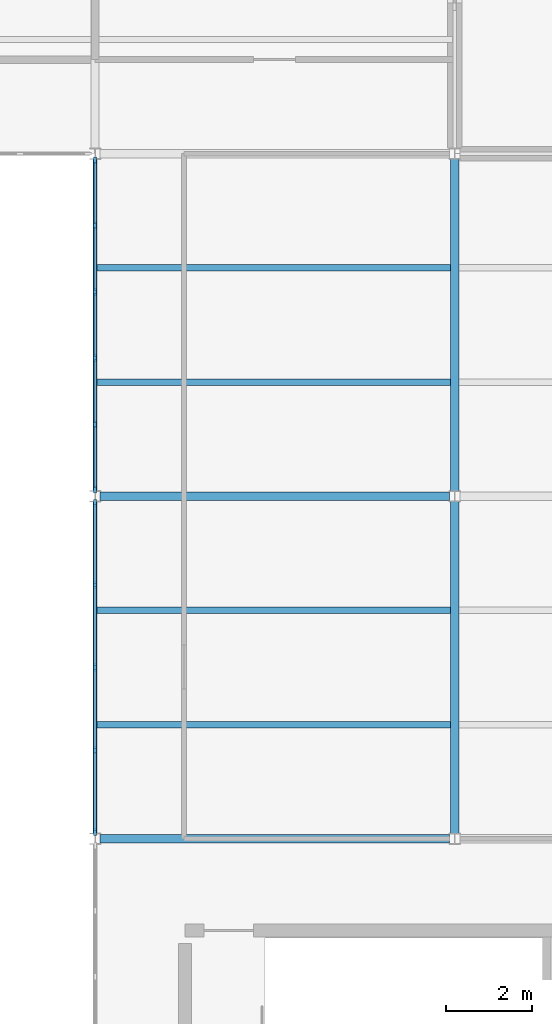
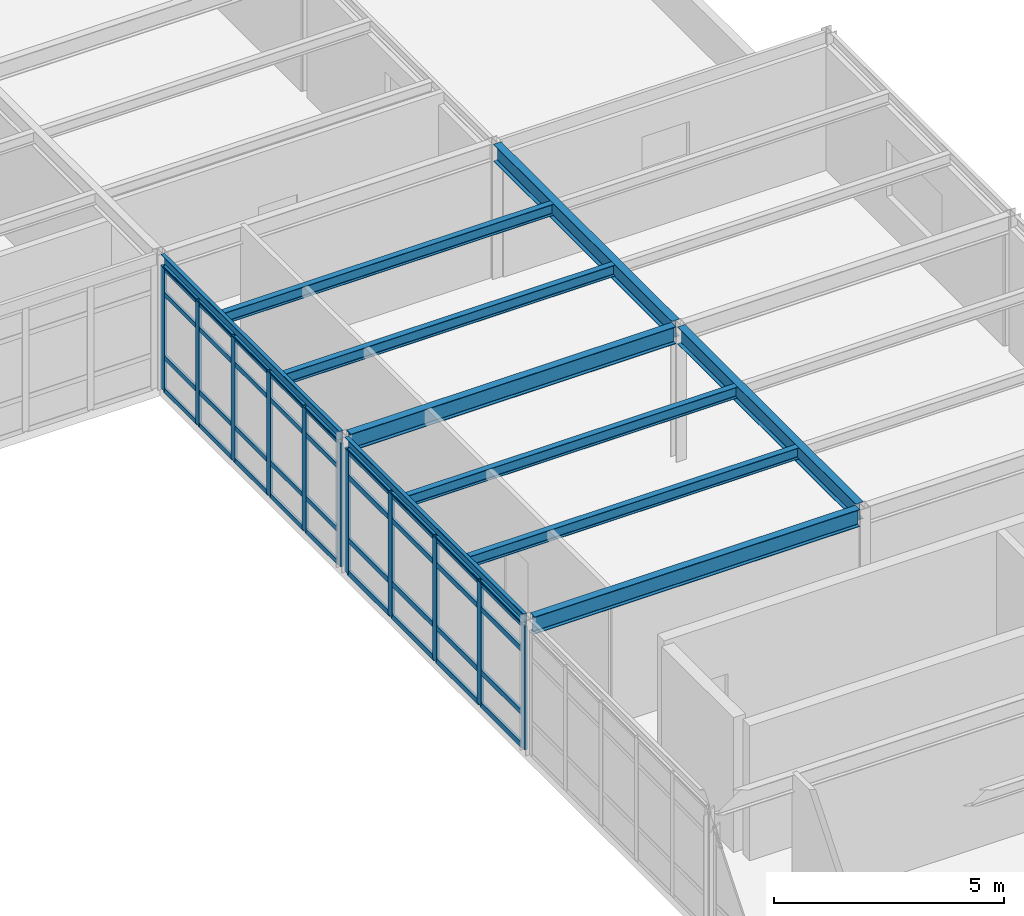
# One storey, part 27 of 53: 47 members, 10 beams, 2 elements without a shape of their own.
"""IFC4 building model written with IfcOpenShell, lengths in metres."""

import ifcopenshell
import ifcopenshell.guid

model = None  # the IFC model being written
_history = None  # IfcOwnerHistory: only IFC2X3 demands one
_inside = {}  # id of a spatial element -> (the spatial element, [elements in it])
_under = {}  # id of a project, library or spatial element -> (it, [spatial elements below it])
_declared = {}  # id of a project -> (the project, [libraries it declares])
_typed = {}  # id of a type object -> (the type object, [elements of that type])
_made_of = {}  # id of a material, layer set ... -> (it, [elements and type objects made of it])


def new_model(schema):
    """Start an empty IFC model of exactly this schema.

    Asked for "IFC4X3", IfcOpenShell would pick the latest addendum, in which some entities
    have other attributes; the version numbers below select the first issue.
    IFC2X3 requires an IfcOwnerHistory on every rooted entity: one is made here for all.
    """
    global model, _history
    if schema == "IFC4X3":
        model = ifcopenshell.file(schema_version=(4, 3, 0, 0))
    else:
        model = ifcopenshell.file(schema=schema)
    _inside.clear()
    _under.clear()
    _declared.clear()
    _typed.clear()
    _made_of.clear()
    _history = None
    if model.schema == "IFC2X3":
        org = make("IfcOrganization", Name="unknown")
        user = make(
            "IfcPersonAndOrganization",
            ThePerson=make("IfcPerson", FamilyName="unknown"),
            TheOrganization=org,
        )
        app = make(
            "IfcApplication",
            ApplicationDeveloper=org,
            Version="unknown",
            ApplicationFullName="unknown",
            ApplicationIdentifier="unknown",
        )
        _history = make(
            "IfcOwnerHistory",
            OwningUser=user,
            OwningApplication=app,
            ChangeAction="ADDED",
            CreationDate=0,
        )
    return model


def make(cls, **values):
    """One entity of the class cls with the attributes given. An attribute that is None is left unset."""
    return model.create_entity(
        cls, **{name: value for name, value in values.items() if value is not None}
    )


def rooted(cls, **values):
    """An entity with a GlobalId (a new one), such as an element, a storey or a relation."""
    return make(cls, GlobalId=ifcopenshell.guid.new(), OwnerHistory=_history, **values)


def si_unit(unit_type, name, prefix=None):
    """IfcSIUnit, for example si_unit("LENGTHUNIT", "METRE", prefix="MILLI")."""
    return make("IfcSIUnit", UnitType=unit_type, Prefix=prefix, Name=name)


def assignment(units):
    """IfcUnitAssignment: the units of a project."""
    return None if units is None else make("IfcUnitAssignment", Units=units)


def point(xyz):
    """IfcCartesianPoint."""
    return None if xyz is None else make("IfcCartesianPoint", Coordinates=xyz)


def direction(xyz):
    """IfcDirection."""
    return None if xyz is None else make("IfcDirection", DirectionRatios=xyz)


def frame(location, z_axis=None, x_axis=None):
    """IfcAxis2Placement3D, a coordinate frame: its origin and axes. An axis left out is left unset."""
    return make(
        "IfcAxis2Placement3D",
        Location=point(location),
        Axis=direction(z_axis),
        RefDirection=direction(x_axis),
    )


def frame_2d(location, x_axis=None):
    """IfcAxis2Placement2D, a coordinate frame in the plane: its origin and x axis."""
    return make(
        "IfcAxis2Placement2D", Location=point(location), RefDirection=direction(x_axis)
    )


def origin():
    """The frame at (0, 0, 0) with its axes left unset."""
    return frame((0.0, 0.0, 0.0))


def origin_2d():
    """The frame at (0, 0) in the plane with its x axis left unset."""
    return frame_2d((0.0, 0.0))


def place(relative_to, where):
    """IfcLocalPlacement: puts the frame where relative to a parent placement (None: the world)."""
    return make(
        "IfcLocalPlacement", PlacementRelTo=relative_to, RelativePlacement=where
    )


def context(
    kind, dimensions, precision=None, world=None, true_north=None, identifier=None
):
    """IfcGeometricRepresentationContext, for example the 3D "Model" context."""
    return make(
        "IfcGeometricRepresentationContext",
        ContextIdentifier=identifier,
        ContextType=kind,
        CoordinateSpaceDimension=dimensions,
        Precision=precision,
        WorldCoordinateSystem=world,
        TrueNorth=true_north,
    )


def subcontext(parent, identifier, kind, view, scale=None):
    """IfcGeometricRepresentationSubContext, for example "Body" below "Model"."""
    return make(
        "IfcGeometricRepresentationSubContext",
        ContextIdentifier=identifier,
        ContextType=kind,
        ParentContext=parent,
        TargetScale=scale,
        TargetView=view,
    )


def project(units=None, contexts=None):
    """IfcProject with its units and contexts."""
    return rooted(
        "IfcProject",
        Name="project",
        RepresentationContexts=contexts,
        UnitsInContext=assignment(units),
    )


def spatial(cls, under=None, at=None, **own):
    """A site, building, storey or space (cls), placed at a placement, below another one or the project."""
    s = rooted(cls, ObjectPlacement=at, **own)
    if under is not None:
        _under.setdefault(under.id(), (under, []))[1].append(s)
    return s


def profile(cls, at=None, kind="AREA", **sizes):
    """A parametric profile (cls). Its sizes go by their IFC names, for example OverallWidth=200.0."""
    return make(cls, ProfileType=kind, Position=at, **sizes)


def rectangle(**sizes):
    """IfcRectangleProfileDef."""
    return profile("IfcRectangleProfileDef", **sizes)


def i_section(**sizes):
    """IfcIShapeProfileDef."""
    return profile("IfcIShapeProfileDef", **sizes)


def u_section(**sizes):
    """IfcUShapeProfileDef."""
    return profile("IfcUShapeProfileDef", **sizes)


def extrude(swept, where, along, depth):
    """IfcExtrudedAreaSolid: the profile swept, set in the frame where, extruded along a direction by depth."""
    return make(
        "IfcExtrudedAreaSolid",
        SweptArea=swept,
        Position=where,
        ExtrudedDirection=direction(along),
        Depth=depth,
    )


def shape(context_of_items, identifier, shape_type, items):
    """IfcShapeRepresentation: the items that make up one representation, for example the "Body"."""
    return make(
        "IfcShapeRepresentation",
        ContextOfItems=context_of_items,
        RepresentationIdentifier=identifier,
        RepresentationType=shape_type,
        Items=items,
    )


def material(Name=None, Category=None):
    """IfcMaterial."""
    return make("IfcMaterial", Name=Name, Category=Category)


def layer(
    of_material, thickness, ventilated=None, Name=None, Category=None, Priority=None
):
    """IfcMaterialLayer: one layer of a wall or slab, of a material (None: an air gap)."""
    return make(
        "IfcMaterialLayer",
        Material=of_material,
        LayerThickness=thickness,
        IsVentilated=ventilated,
        Name=Name,
        Category=Category,
        Priority=Priority,
    )


def layer_set(layers, Name=None):
    """IfcMaterialLayerSet."""
    return make("IfcMaterialLayerSet", MaterialLayers=layers, LayerSetName=Name)


def material_profile(
    of_material, cross_section, Name=None, Category=None, Priority=None
):
    """IfcMaterialProfile: a cross section and its material."""
    return make(
        "IfcMaterialProfile",
        Name=Name,
        Material=of_material,
        Profile=cross_section,
        Priority=Priority,
        Category=Category,
    )


def profile_set(profiles, Name=None, composite=None):
    """IfcMaterialProfileSet."""
    return make(
        "IfcMaterialProfileSet",
        Name=Name,
        MaterialProfiles=profiles,
        CompositeProfile=composite,
    )


def made_of(thing, what):
    """Note that an element or type object is made of a material, layer set ...; save() writes the relation."""
    if what is not None:
        _made_of.setdefault(what.id(), (what, []))[1].append(thing)
    return thing


def type_object(cls, material=None, **own):
    """A type object (cls), such as IfcWallType, which elements share."""
    return made_of(rooted(cls, **own), material)


def element(
    cls,
    number,
    at=None,
    inside=None,
    cuts=None,
    type_object=None,
    material=None,
    context=None,
    identifier="Body",
    shape_type=None,
    held_by="IfcProductDefinitionShape",
    body=None,
    shapes=None,
    **own,
):
    """One element of the class cls, such as IfcWall. Its Tag is "e" and its number.

    at: its placement. inside: the storey or other place that contains it. cuts: it is an
    opening in that element (IfcRelVoidsElement). A single representation is given by context,
    identifier, shape_type and body (its items); several are given by shapes. held_by: the class
    of the entity that holds the representations. save() writes the other relations.
    """
    e = rooted(cls, Tag="e%d" % number, ObjectPlacement=at, **own)
    if body is not None:
        shapes = [shape(context, identifier, shape_type, body)]
    if shapes is not None:
        e.Representation = make(held_by, Representations=shapes)
    if inside is not None:
        _inside.setdefault(inside.id(), (inside, []))[1].append(e)
    if cuts is not None:
        rooted(
            "IfcRelVoidsElement", RelatingBuildingElement=cuts, RelatedOpeningElement=e
        )
    if type_object is not None:
        _typed.setdefault(type_object.id(), (type_object, []))[1].append(e)
    return made_of(e, material)


def aggregate(whole, parts):
    """IfcRelAggregates: a whole, such as a stair, and the parts it consists of."""
    return rooted("IfcRelAggregates", RelatingObject=whole, RelatedObjects=parts)


def save(model, path):
    """Write the relations noted so far, then the file.

    IfcRelAggregates (storeys below a building ...), IfcRelContainedInSpatialStructure (elements
    in a storey), IfcRelDefinesByType, IfcRelAssociatesMaterial and IfcRelDeclares: one each for
    every whole, place, type object, material and project.
    """
    for whole, parts in _under.values():
        aggregate(whole, parts)
    for where, things in _inside.values():
        rooted(
            "IfcRelContainedInSpatialStructure",
            RelatedElements=things,
            RelatingStructure=where,
        )
    for kind, things in _typed.values():
        rooted("IfcRelDefinesByType", RelatedObjects=things, RelatingType=kind)
    for what, things in _made_of.values():
        rooted("IfcRelAssociatesMaterial", RelatedObjects=things, RelatingMaterial=what)
    for by, libraries in _declared.values():
        rooted("IfcRelDeclares", RelatingContext=by, RelatedDefinitions=libraries)
    model.write(path)


model = new_model("IFC4")

# Units and contexts
model_context = context("Model", 3, precision=1e-05, world=origin(), true_north=direction((0.0, 1.0)))
body_context = subcontext(model_context, "Body", "Model", "MODEL_VIEW")
ifc_project = project(units=[si_unit("LENGTHUNIT", "METRE"), si_unit("AREAUNIT", "SQUARE_METRE"), si_unit("VOLUMEUNIT", "CUBIC_METRE"), si_unit("PLANEANGLEUNIT", "RADIAN"), si_unit("MASSUNIT", "GRAM", prefix="KILO")], contexts=[model_context])

# Site, building, storey
site_placement = place(None, origin())
site = spatial("IfcSite", under=ifc_project, at=site_placement, CompositionType="ELEMENT")
building_placement = place(site_placement, origin())
building = spatial("IfcBuilding", under=site, at=building_placement, Name="Kranzveld Transit Interchange", CompositionType="ELEMENT")
storey_placement = place(building_placement, frame((0.0, 0.0, 13.360107421875)))
storey = spatial("IfcBuildingStorey", under=building, at=storey_placement, Name="L03", CompositionType="ELEMENT", Elevation=13.360107421875)

# Beams
ifc_material_1 = material(Name="Steel S355JR", Category="steel")
ifc_material_profile_1 = material_profile(ifc_material_1, i_section(OverallWidth=0.18994140625, OverallDepth=0.453369140625, WebThickness=0.008544921875, FlangeThickness=0.0126953125, FilletRadius=0.01025390625, at=origin_2d()), Name="UB 457x191x67")
ifc_profile_set_1 = profile_set([ifc_material_profile_1], Name="Steel S355JR")
beam_type_1 = type_object("IfcBeamType", Name="Beam Steel UB 457x191x67 S355JR", PredefinedType="BEAM", material=ifc_profile_set_1)
for number, where, z_axis, x_axis, name in (
    (1, (159.60009765625, 80.1201171875, 3.353271484375), (0.0, 1.0, 0.0), (-1.0, 0.0, 0.0), "L03 Girder 20/L-M"),
    (2, (159.60009765625, 88.1201171875, 3.353271484375), (0.0, 1.0, 0.0), (-1.0, 0.0, 0.0), "L03 Girder 20/M-N"),
):
    element("IfcBeam", number, at=place(storey_placement, frame(where, z_axis=z_axis, x_axis=x_axis)), inside=storey, type_object=beam_type_1, Name=name, PredefinedType="BEAM", context=body_context, shape_type="SweptSolid", body=[
        extrude(i_section(OverallWidth=0.18994140625, OverallDepth=0.453369140625, WebThickness=0.008544921875, FlangeThickness=0.0126953125, FilletRadius=0.01025390625, at=origin_2d()), origin(), (0.0, 0.0, 1.0), 7.759765625),
    ])
ifc_material_2 = material(Name="Steel S355JR", Category="steel")
ifc_material_profile_2 = material_profile(ifc_material_2, i_section(OverallWidth=0.1904296875, OverallDepth=0.45703125, WebThickness=0.009033203125, FlangeThickness=0.014404296875, FilletRadius=0.01025390625, at=origin_2d()), Name="UB 457x191x74")
ifc_profile_set_2 = profile_set([ifc_material_profile_2], Name="Steel S355JR")
beam_type_2 = type_object("IfcBeamType", Name="Beam Steel UB 457x191x74 S355JR", PredefinedType="BEAM", material=ifc_profile_set_2)
for number, where, z_axis, x_axis, name in (
    (3, (151.318115234375, 80.0, 3.351318359375), (1.0, 0.0, 0.0), (0.0, 1.0, 0.0), "L03 Girder 19-20/L"),
    (4, (151.318115234375, 88.0, 3.351318359375), (1.0, 0.0, 0.0), (0.0, 1.0, 0.0), "L03 Girder 19-20/M"),
):
    element("IfcBeam", number, at=place(storey_placement, frame(where, z_axis=z_axis, x_axis=x_axis)), inside=storey, type_object=beam_type_2, Name=name, PredefinedType="BEAM", context=body_context, shape_type="SweptSolid", body=[
        extrude(i_section(OverallWidth=0.1904296875, OverallDepth=0.45703125, WebThickness=0.009033203125, FlangeThickness=0.014404296875, FilletRadius=0.01025390625, at=origin_2d()), origin(), (0.0, 0.0, 1.0), 8.163818359375),
    ])

# Curtain wall, members
ifc_material_3 = material(Name="Bronze-anodised thermally broken aluminium", Category="aluminium")
ifc_layer_1 = layer(ifc_material_3, 0.155029296875)
ifc_layer_set_1 = layer_set([ifc_layer_1], Name="Bronze-anodised thermally broken aluminium")
curtain_wall_type_1 = type_object("IfcCurtainWallType", Name="Operations Courtyard Glazed Screen CW-6", PredefinedType="USERDEFINED", material=ifc_layer_set_1)
curtain_wall_1_placement = place(storey_placement, origin())
curtain_wall_1 = element("IfcCurtainWall", 5, at=curtain_wall_1_placement, inside=storey, type_object=curtain_wall_type_1, Name="L03 Curtain Wall 19/M-19/N", ObjectType="CURTAIN WALL", PredefinedType="USERDEFINED")
ifc_material_4 = material(Name="Bronze-anodised thermally broken aluminium", Category="aluminium")
ifc_material_profile_3 = material_profile(ifc_material_4, rectangle(XDim=0.06494140625, YDim=0.1650390625, at=origin_2d()), Name="ALU MULLION 65x165")
ifc_profile_set_3 = profile_set([ifc_material_profile_3], Name="Bronze-anodised thermally broken aluminium")
member_type_1 = type_object("IfcMemberType", Name="Curtain Wall Mullion 65x165 Alu", PredefinedType="MULLION", material=ifc_profile_set_3)
member_1_placement = place(storey_placement, frame((151.199951171875, 88.16259765625, 0.0), z_axis=(0.0, 0.0, 1.0), x_axis=(-1.0, 0.0, 0.0)))
member_1 = element("IfcMember", 6, at=member_1_placement, type_object=member_type_1, Name="CW-6 mullion 1", PredefinedType="MULLION", context=body_context, shape_type="SweptSolid", body=[
    extrude(rectangle(XDim=0.06494140625, YDim=0.1650390625, at=origin_2d()), origin(), (0.0, 0.0, 1.0), 3.27978515625),
])
member_2_placement = place(storey_placement, frame((151.199951171875, 89.677978515625, 0.0), z_axis=(0.0, 0.0, 1.0), x_axis=(-1.0, 0.0, 0.0)))
member_2 = element("IfcMember", 7, at=member_2_placement, type_object=member_type_1, Name="CW-6 mullion 2", PredefinedType="MULLION", context=body_context, shape_type="SweptSolid", body=[
    extrude(rectangle(XDim=0.06494140625, YDim=0.1650390625, at=origin_2d()), origin(), (0.0, 0.0, 1.0), 3.27978515625),
])
member_3_placement = place(storey_placement, frame((151.199951171875, 91.22607421875, 0.0), z_axis=(0.0, 0.0, 1.0), x_axis=(-1.0, 0.0, 0.0)))
member_3 = element("IfcMember", 8, at=member_3_placement, type_object=member_type_1, Name="CW-6 mullion 3", PredefinedType="MULLION", context=body_context, shape_type="SweptSolid", body=[
    extrude(rectangle(XDim=0.06494140625, YDim=0.1650390625, at=origin_2d()), origin(), (0.0, 0.0, 1.0), 3.27978515625),
])
member_4_placement = place(storey_placement, frame((151.199951171875, 92.77392578125, 0.0), z_axis=(0.0, 0.0, 1.0), x_axis=(-1.0, 0.0, 0.0)))
member_4 = element("IfcMember", 9, at=member_4_placement, type_object=member_type_1, Name="CW-6 mullion 4", PredefinedType="MULLION", context=body_context, shape_type="SweptSolid", body=[
    extrude(rectangle(XDim=0.06494140625, YDim=0.1650390625, at=origin_2d()), origin(), (0.0, 0.0, 1.0), 3.27978515625),
])
member_5_placement = place(storey_placement, frame((151.199951171875, 94.322021484375, 0.0), z_axis=(0.0, 0.0, 1.0), x_axis=(-1.0, 0.0, 0.0)))
member_5 = element("IfcMember", 10, at=member_5_placement, type_object=member_type_1, Name="CW-6 mullion 5", PredefinedType="MULLION", context=body_context, shape_type="SweptSolid", body=[
    extrude(rectangle(XDim=0.06494140625, YDim=0.1650390625, at=origin_2d()), origin(), (0.0, 0.0, 1.0), 3.27978515625),
])
member_6_placement = place(storey_placement, frame((151.199951171875, 95.83740234375, 0.0), z_axis=(0.0, 0.0, 1.0), x_axis=(-1.0, 0.0, 0.0)))
member_6 = element("IfcMember", 11, at=member_6_placement, type_object=member_type_1, Name="CW-6 mullion 6", PredefinedType="MULLION", context=body_context, shape_type="SweptSolid", body=[
    extrude(rectangle(XDim=0.06494140625, YDim=0.1650390625, at=origin_2d()), origin(), (0.0, 0.0, 1.0), 3.27978515625),
])

ifc_material_5 = material(Name="Bronze-anodised thermally broken aluminium", Category="aluminium")
ifc_layer_2 = layer(ifc_material_5, 0.18505859375)
ifc_layer_set_2 = layer_set([ifc_layer_2], Name="Bronze-anodised thermally broken aluminium")
curtain_wall_type_2 = type_object("IfcCurtainWallType", Name="Control Crown Observation Facade CW-5", PredefinedType="USERDEFINED", material=ifc_layer_set_2)
curtain_wall_2_placement = place(storey_placement, origin())
curtain_wall_2 = element("IfcCurtainWall", 12, at=curtain_wall_2_placement, inside=storey, type_object=curtain_wall_type_2, Name="L03 Curtain Wall 19/L-19/M", ObjectType="CURTAIN WALL", PredefinedType="USERDEFINED")
ifc_material_6 = material(Name="Bronze-anodised thermally broken aluminium", Category="aluminium")
ifc_material_profile_4 = material_profile(ifc_material_6, rectangle(XDim=0.06494140625, YDim=0.179931640625, at=origin_2d()), Name="ALU MULLION 65x180")
ifc_profile_set_4 = profile_set([ifc_material_profile_4], Name="Bronze-anodised thermally broken aluminium")
member_type_2 = type_object("IfcMemberType", Name="Curtain Wall Mullion 65x180 Alu", PredefinedType="MULLION", material=ifc_profile_set_4)
member_7_placement = place(storey_placement, frame((151.199951171875, 80.16259765625, 0.0), z_axis=(0.0, 0.0, 1.0), x_axis=(-1.0, 0.0, 0.0)))
member_7 = element("IfcMember", 13, at=member_7_placement, type_object=member_type_2, Name="CW-5 mullion 1", PredefinedType="MULLION", context=body_context, shape_type="SweptSolid", body=[
    extrude(rectangle(XDim=0.06494140625, YDim=0.179931640625, at=origin_2d()), origin(), (0.0, 0.0, 1.0), 3.27978515625),
])
member_8_placement = place(storey_placement, frame((151.199951171875, 82.06494140625, 0.0), z_axis=(0.0, 0.0, 1.0), x_axis=(-1.0, 0.0, 0.0)))
member_8 = element("IfcMember", 14, at=member_8_placement, type_object=member_type_2, Name="CW-5 mullion 2", PredefinedType="MULLION", context=body_context, shape_type="SweptSolid", body=[
    extrude(rectangle(XDim=0.06494140625, YDim=0.179931640625, at=origin_2d()), origin(), (0.0, 0.0, 1.0), 3.27978515625),
])
member_9_placement = place(storey_placement, frame((151.199951171875, 84.0, 0.0), z_axis=(0.0, 0.0, 1.0), x_axis=(-1.0, 0.0, 0.0)))
member_9 = element("IfcMember", 15, at=member_9_placement, type_object=member_type_2, Name="CW-5 mullion 3", PredefinedType="MULLION", context=body_context, shape_type="SweptSolid", body=[
    extrude(rectangle(XDim=0.06494140625, YDim=0.179931640625, at=origin_2d()), origin(), (0.0, 0.0, 1.0), 3.27978515625),
])
member_10_placement = place(storey_placement, frame((151.199951171875, 85.93505859375, 0.0), z_axis=(0.0, 0.0, 1.0), x_axis=(-1.0, 0.0, 0.0)))
member_10 = element("IfcMember", 16, at=member_10_placement, type_object=member_type_2, Name="CW-5 mullion 4", PredefinedType="MULLION", context=body_context, shape_type="SweptSolid", body=[
    extrude(rectangle(XDim=0.06494140625, YDim=0.179931640625, at=origin_2d()), origin(), (0.0, 0.0, 1.0), 3.27978515625),
])
member_11_placement = place(storey_placement, frame((151.199951171875, 87.83740234375, 0.0), z_axis=(0.0, 0.0, 1.0), x_axis=(-1.0, 0.0, 0.0)))
member_11 = element("IfcMember", 17, at=member_11_placement, type_object=member_type_2, Name="CW-5 mullion 5", PredefinedType="MULLION", context=body_context, shape_type="SweptSolid", body=[
    extrude(rectangle(XDim=0.06494140625, YDim=0.179931640625, at=origin_2d()), origin(), (0.0, 0.0, 1.0), 3.27978515625),
])

# Member
ifc_material_7 = material(Name="Bronze-anodised thermally broken aluminium", Category="aluminium")
ifc_material_profile_5 = material_profile(ifc_material_7, rectangle(XDim=0.06005859375, YDim=0.125, at=origin_2d()), Name="ALU TRANSOM 60x125")
ifc_profile_set_5 = profile_set([ifc_material_profile_5], Name="Bronze-anodised thermally broken aluminium")
member_type_3 = type_object("IfcMemberType", Name="Curtain Wall Transom 60x125 Alu", PredefinedType="USERDEFINED", material=ifc_profile_set_5)
member_12_placement = place(storey_placement, frame((151.199951171875, 88.195068359375, 0.02978515625), z_axis=(0.0, 1.0, 0.0), x_axis=(-1.0, 0.0, 0.0)))
member_12 = element("IfcMember", 18, at=member_12_placement, type_object=member_type_3, Name="CW-6 transom 1.1", ObjectType="TRANSOM", PredefinedType="USERDEFINED", context=body_context, shape_type="SweptSolid", body=[
    extrude(rectangle(XDim=0.06005859375, YDim=0.125, at=origin_2d()), origin(), (0.0, 0.0, 1.0), 1.450439453125),
])

member_13_placement = place(storey_placement, frame((151.199951171875, 88.195068359375, 0.89990234375), z_axis=(0.0, 1.0, 0.0), x_axis=(-1.0, 0.0, 0.0)))
member_13 = element("IfcMember", 19, at=member_13_placement, type_object=member_type_3, Name="CW-6 transom 1.2", ObjectType="TRANSOM", PredefinedType="USERDEFINED", context=body_context, shape_type="SweptSolid", body=[
    extrude(rectangle(XDim=0.06005859375, YDim=0.125, at=origin_2d()), origin(), (0.0, 0.0, 1.0), 1.450439453125),
])

member_14_placement = place(storey_placement, frame((151.199951171875, 88.195068359375, 2.579833984375), z_axis=(0.0, 1.0, 0.0), x_axis=(-1.0, 0.0, 0.0)))
member_14 = element("IfcMember", 20, at=member_14_placement, type_object=member_type_3, Name="CW-6 transom 1.3", ObjectType="TRANSOM", PredefinedType="USERDEFINED", context=body_context, shape_type="SweptSolid", body=[
    extrude(rectangle(XDim=0.06005859375, YDim=0.125, at=origin_2d()), origin(), (0.0, 0.0, 1.0), 1.450439453125),
])

member_15_placement = place(storey_placement, frame((151.199951171875, 88.195068359375, 3.25), z_axis=(0.0, 1.0, 0.0), x_axis=(-1.0, 0.0, 0.0)))
member_15 = element("IfcMember", 21, at=member_15_placement, type_object=member_type_3, Name="CW-6 transom 1.4", ObjectType="TRANSOM", PredefinedType="USERDEFINED", context=body_context, shape_type="SweptSolid", body=[
    extrude(rectangle(XDim=0.06005859375, YDim=0.125, at=origin_2d()), origin(), (0.0, 0.0, 1.0), 1.450439453125),
])

member_16_placement = place(storey_placement, frame((151.199951171875, 89.71044921875, 0.02978515625), z_axis=(0.0, 1.0, 0.0), x_axis=(-1.0, 0.0, 0.0)))
member_16 = element("IfcMember", 22, at=member_16_placement, type_object=member_type_3, Name="CW-6 transom 2.1", ObjectType="TRANSOM", PredefinedType="USERDEFINED", context=body_context, shape_type="SweptSolid", body=[
    extrude(rectangle(XDim=0.06005859375, YDim=0.125, at=origin_2d()), origin(), (0.0, 0.0, 1.0), 1.483154296875),
])

member_17_placement = place(storey_placement, frame((151.199951171875, 89.71044921875, 0.89990234375), z_axis=(0.0, 1.0, 0.0), x_axis=(-1.0, 0.0, 0.0)))
member_17 = element("IfcMember", 23, at=member_17_placement, type_object=member_type_3, Name="CW-6 transom 2.2", ObjectType="TRANSOM", PredefinedType="USERDEFINED", context=body_context, shape_type="SweptSolid", body=[
    extrude(rectangle(XDim=0.06005859375, YDim=0.125, at=origin_2d()), origin(), (0.0, 0.0, 1.0), 1.483154296875),
])

member_18_placement = place(storey_placement, frame((151.199951171875, 89.71044921875, 2.579833984375), z_axis=(0.0, 1.0, 0.0), x_axis=(-1.0, 0.0, 0.0)))
member_18 = element("IfcMember", 24, at=member_18_placement, type_object=member_type_3, Name="CW-6 transom 2.3", ObjectType="TRANSOM", PredefinedType="USERDEFINED", context=body_context, shape_type="SweptSolid", body=[
    extrude(rectangle(XDim=0.06005859375, YDim=0.125, at=origin_2d()), origin(), (0.0, 0.0, 1.0), 1.483154296875),
])

member_19_placement = place(storey_placement, frame((151.199951171875, 89.71044921875, 3.25), z_axis=(0.0, 1.0, 0.0), x_axis=(-1.0, 0.0, 0.0)))
member_19 = element("IfcMember", 25, at=member_19_placement, type_object=member_type_3, Name="CW-6 transom 2.4", ObjectType="TRANSOM", PredefinedType="USERDEFINED", context=body_context, shape_type="SweptSolid", body=[
    extrude(rectangle(XDim=0.06005859375, YDim=0.125, at=origin_2d()), origin(), (0.0, 0.0, 1.0), 1.483154296875),
])

member_20_placement = place(storey_placement, frame((151.199951171875, 91.258544921875, 0.02978515625), z_axis=(0.0, 1.0, 0.0), x_axis=(-1.0, 0.0, 0.0)))
member_20 = element("IfcMember", 26, at=member_20_placement, type_object=member_type_3, Name="CW-6 transom 3.1", ObjectType="TRANSOM", PredefinedType="USERDEFINED", context=body_context, shape_type="SweptSolid", body=[
    extrude(rectangle(XDim=0.06005859375, YDim=0.125, at=origin_2d()), origin(), (0.0, 0.0, 1.0), 1.48291015625),
])

member_21_placement = place(storey_placement, frame((151.199951171875, 91.258544921875, 0.89990234375), z_axis=(0.0, 1.0, 0.0), x_axis=(-1.0, 0.0, 0.0)))
member_21 = element("IfcMember", 27, at=member_21_placement, type_object=member_type_3, Name="CW-6 transom 3.2", ObjectType="TRANSOM", PredefinedType="USERDEFINED", context=body_context, shape_type="SweptSolid", body=[
    extrude(rectangle(XDim=0.06005859375, YDim=0.125, at=origin_2d()), origin(), (0.0, 0.0, 1.0), 1.48291015625),
])

member_22_placement = place(storey_placement, frame((151.199951171875, 91.258544921875, 2.579833984375), z_axis=(0.0, 1.0, 0.0), x_axis=(-1.0, 0.0, 0.0)))
member_22 = element("IfcMember", 28, at=member_22_placement, type_object=member_type_3, Name="CW-6 transom 3.3", ObjectType="TRANSOM", PredefinedType="USERDEFINED", context=body_context, shape_type="SweptSolid", body=[
    extrude(rectangle(XDim=0.06005859375, YDim=0.125, at=origin_2d()), origin(), (0.0, 0.0, 1.0), 1.48291015625),
])

member_23_placement = place(storey_placement, frame((151.199951171875, 91.258544921875, 3.25), z_axis=(0.0, 1.0, 0.0), x_axis=(-1.0, 0.0, 0.0)))
member_23 = element("IfcMember", 29, at=member_23_placement, type_object=member_type_3, Name="CW-6 transom 3.4", ObjectType="TRANSOM", PredefinedType="USERDEFINED", context=body_context, shape_type="SweptSolid", body=[
    extrude(rectangle(XDim=0.06005859375, YDim=0.125, at=origin_2d()), origin(), (0.0, 0.0, 1.0), 1.48291015625),
])

member_24_placement = place(storey_placement, frame((151.199951171875, 92.806396484375, 0.02978515625), z_axis=(0.0, 1.0, 0.0), x_axis=(-1.0, 0.0, 0.0)))
member_24 = element("IfcMember", 30, at=member_24_placement, type_object=member_type_3, Name="CW-6 transom 4.1", ObjectType="TRANSOM", PredefinedType="USERDEFINED", context=body_context, shape_type="SweptSolid", body=[
    extrude(rectangle(XDim=0.06005859375, YDim=0.125, at=origin_2d()), origin(), (0.0, 0.0, 1.0), 1.483154296875),
])

member_25_placement = place(storey_placement, frame((151.199951171875, 92.806396484375, 0.89990234375), z_axis=(0.0, 1.0, 0.0), x_axis=(-1.0, 0.0, 0.0)))
member_25 = element("IfcMember", 31, at=member_25_placement, type_object=member_type_3, Name="CW-6 transom 4.2", ObjectType="TRANSOM", PredefinedType="USERDEFINED", context=body_context, shape_type="SweptSolid", body=[
    extrude(rectangle(XDim=0.06005859375, YDim=0.125, at=origin_2d()), origin(), (0.0, 0.0, 1.0), 1.483154296875),
])

member_26_placement = place(storey_placement, frame((151.199951171875, 92.806396484375, 2.579833984375), z_axis=(0.0, 1.0, 0.0), x_axis=(-1.0, 0.0, 0.0)))
member_26 = element("IfcMember", 32, at=member_26_placement, type_object=member_type_3, Name="CW-6 transom 4.3", ObjectType="TRANSOM", PredefinedType="USERDEFINED", context=body_context, shape_type="SweptSolid", body=[
    extrude(rectangle(XDim=0.06005859375, YDim=0.125, at=origin_2d()), origin(), (0.0, 0.0, 1.0), 1.483154296875),
])

member_27_placement = place(storey_placement, frame((151.199951171875, 92.806396484375, 3.25), z_axis=(0.0, 1.0, 0.0), x_axis=(-1.0, 0.0, 0.0)))
member_27 = element("IfcMember", 33, at=member_27_placement, type_object=member_type_3, Name="CW-6 transom 4.4", ObjectType="TRANSOM", PredefinedType="USERDEFINED", context=body_context, shape_type="SweptSolid", body=[
    extrude(rectangle(XDim=0.06005859375, YDim=0.125, at=origin_2d()), origin(), (0.0, 0.0, 1.0), 1.483154296875),
])

member_28_placement = place(storey_placement, frame((151.199951171875, 94.3544921875, 0.02978515625), z_axis=(0.0, 1.0, 0.0), x_axis=(-1.0, 0.0, 0.0)))
member_28 = element("IfcMember", 34, at=member_28_placement, type_object=member_type_3, Name="CW-6 transom 5.1", ObjectType="TRANSOM", PredefinedType="USERDEFINED", context=body_context, shape_type="SweptSolid", body=[
    extrude(rectangle(XDim=0.06005859375, YDim=0.125, at=origin_2d()), origin(), (0.0, 0.0, 1.0), 1.450439453125),
])

member_29_placement = place(storey_placement, frame((151.199951171875, 94.3544921875, 0.89990234375), z_axis=(0.0, 1.0, 0.0), x_axis=(-1.0, 0.0, 0.0)))
member_29 = element("IfcMember", 35, at=member_29_placement, type_object=member_type_3, Name="CW-6 transom 5.2", ObjectType="TRANSOM", PredefinedType="USERDEFINED", context=body_context, shape_type="SweptSolid", body=[
    extrude(rectangle(XDim=0.06005859375, YDim=0.125, at=origin_2d()), origin(), (0.0, 0.0, 1.0), 1.450439453125),
])

member_30_placement = place(storey_placement, frame((151.199951171875, 94.3544921875, 2.579833984375), z_axis=(0.0, 1.0, 0.0), x_axis=(-1.0, 0.0, 0.0)))
member_30 = element("IfcMember", 36, at=member_30_placement, type_object=member_type_3, Name="CW-6 transom 5.3", ObjectType="TRANSOM", PredefinedType="USERDEFINED", context=body_context, shape_type="SweptSolid", body=[
    extrude(rectangle(XDim=0.06005859375, YDim=0.125, at=origin_2d()), origin(), (0.0, 0.0, 1.0), 1.450439453125),
])

member_31_placement = place(storey_placement, frame((151.199951171875, 94.3544921875, 3.25), z_axis=(0.0, 1.0, 0.0), x_axis=(-1.0, 0.0, 0.0)))
member_31 = element("IfcMember", 37, at=member_31_placement, type_object=member_type_3, Name="CW-6 transom 5.4", ObjectType="TRANSOM", PredefinedType="USERDEFINED", context=body_context, shape_type="SweptSolid", body=[
    extrude(rectangle(XDim=0.06005859375, YDim=0.125, at=origin_2d()), origin(), (0.0, 0.0, 1.0), 1.450439453125),
])

aggregate(curtain_wall_1, [member_1, member_2, member_3, member_4, member_5, member_6, member_12, member_13, member_14, member_15, member_16, member_17, member_18, member_19, member_20, member_21, member_22, member_23, member_24, member_25, member_26, member_27, member_28, member_29, member_30, member_31])

ifc_material_8 = material(Name="Bronze-anodised thermally broken aluminium", Category="aluminium")
ifc_material_profile_6 = material_profile(ifc_material_8, rectangle(XDim=0.06494140625, YDim=0.139892578125, at=origin_2d()), Name="ALU TRANSOM 65x140")
ifc_profile_set_6 = profile_set([ifc_material_profile_6], Name="Bronze-anodised thermally broken aluminium")
member_type_4 = type_object("IfcMemberType", Name="Curtain Wall Transom 65x140 Alu", PredefinedType="USERDEFINED", material=ifc_profile_set_6)
member_32_placement = place(storey_placement, frame((151.199951171875, 80.195068359375, 0.032470703125), z_axis=(0.0, 1.0, 0.0), x_axis=(-1.0, 0.0, 0.0)))
member_32 = element("IfcMember", 38, at=member_32_placement, type_object=member_type_4, Name="CW-5 transom 1.1", ObjectType="TRANSOM", PredefinedType="USERDEFINED", context=body_context, shape_type="SweptSolid", body=[
    extrude(rectangle(XDim=0.06494140625, YDim=0.139892578125, at=origin_2d()), origin(), (0.0, 0.0, 1.0), 1.83740234375),
])

member_33_placement = place(storey_placement, frame((151.199951171875, 80.195068359375, 0.89990234375), z_axis=(0.0, 1.0, 0.0), x_axis=(-1.0, 0.0, 0.0)))
member_33 = element("IfcMember", 39, at=member_33_placement, type_object=member_type_4, Name="CW-5 transom 1.2", ObjectType="TRANSOM", PredefinedType="USERDEFINED", context=body_context, shape_type="SweptSolid", body=[
    extrude(rectangle(XDim=0.06494140625, YDim=0.139892578125, at=origin_2d()), origin(), (0.0, 0.0, 1.0), 1.83740234375),
])

member_34_placement = place(storey_placement, frame((151.199951171875, 80.195068359375, 2.579833984375), z_axis=(0.0, 1.0, 0.0), x_axis=(-1.0, 0.0, 0.0)))
member_34 = element("IfcMember", 40, at=member_34_placement, type_object=member_type_4, Name="CW-5 transom 1.3", ObjectType="TRANSOM", PredefinedType="USERDEFINED", context=body_context, shape_type="SweptSolid", body=[
    extrude(rectangle(XDim=0.06494140625, YDim=0.139892578125, at=origin_2d()), origin(), (0.0, 0.0, 1.0), 1.83740234375),
])

member_35_placement = place(storey_placement, frame((151.199951171875, 80.195068359375, 3.247314453125), z_axis=(0.0, 1.0, 0.0), x_axis=(-1.0, 0.0, 0.0)))
member_35 = element("IfcMember", 41, at=member_35_placement, type_object=member_type_4, Name="CW-5 transom 1.4", ObjectType="TRANSOM", PredefinedType="USERDEFINED", context=body_context, shape_type="SweptSolid", body=[
    extrude(rectangle(XDim=0.06494140625, YDim=0.139892578125, at=origin_2d()), origin(), (0.0, 0.0, 1.0), 1.83740234375),
])

member_36_placement = place(storey_placement, frame((151.199951171875, 82.09765625, 0.032470703125), z_axis=(0.0, 1.0, 0.0), x_axis=(-1.0, 0.0, 0.0)))
member_36 = element("IfcMember", 42, at=member_36_placement, type_object=member_type_4, Name="CW-5 transom 2.1", ObjectType="TRANSOM", PredefinedType="USERDEFINED", context=body_context, shape_type="SweptSolid", body=[
    extrude(rectangle(XDim=0.06494140625, YDim=0.139892578125, at=origin_2d()), origin(), (0.0, 0.0, 1.0), 1.869873046875),
])

member_37_placement = place(storey_placement, frame((151.199951171875, 82.09765625, 0.89990234375), z_axis=(0.0, 1.0, 0.0), x_axis=(-1.0, 0.0, 0.0)))
member_37 = element("IfcMember", 43, at=member_37_placement, type_object=member_type_4, Name="CW-5 transom 2.2", ObjectType="TRANSOM", PredefinedType="USERDEFINED", context=body_context, shape_type="SweptSolid", body=[
    extrude(rectangle(XDim=0.06494140625, YDim=0.139892578125, at=origin_2d()), origin(), (0.0, 0.0, 1.0), 1.869873046875),
])

member_38_placement = place(storey_placement, frame((151.199951171875, 82.09765625, 2.579833984375), z_axis=(0.0, 1.0, 0.0), x_axis=(-1.0, 0.0, 0.0)))
member_38 = element("IfcMember", 44, at=member_38_placement, type_object=member_type_4, Name="CW-5 transom 2.3", ObjectType="TRANSOM", PredefinedType="USERDEFINED", context=body_context, shape_type="SweptSolid", body=[
    extrude(rectangle(XDim=0.06494140625, YDim=0.139892578125, at=origin_2d()), origin(), (0.0, 0.0, 1.0), 1.869873046875),
])

member_39_placement = place(storey_placement, frame((151.199951171875, 82.09765625, 3.247314453125), z_axis=(0.0, 1.0, 0.0), x_axis=(-1.0, 0.0, 0.0)))
member_39 = element("IfcMember", 45, at=member_39_placement, type_object=member_type_4, Name="CW-5 transom 2.4", ObjectType="TRANSOM", PredefinedType="USERDEFINED", context=body_context, shape_type="SweptSolid", body=[
    extrude(rectangle(XDim=0.06494140625, YDim=0.139892578125, at=origin_2d()), origin(), (0.0, 0.0, 1.0), 1.869873046875),
])

member_40_placement = place(storey_placement, frame((151.199951171875, 84.032470703125, 0.032470703125), z_axis=(0.0, 1.0, 0.0), x_axis=(-1.0, 0.0, 0.0)))
member_40 = element("IfcMember", 46, at=member_40_placement, type_object=member_type_4, Name="CW-5 transom 3.1", ObjectType="TRANSOM", PredefinedType="USERDEFINED", context=body_context, shape_type="SweptSolid", body=[
    extrude(rectangle(XDim=0.06494140625, YDim=0.139892578125, at=origin_2d()), origin(), (0.0, 0.0, 1.0), 1.869873046875),
])

member_41_placement = place(storey_placement, frame((151.199951171875, 84.032470703125, 0.89990234375), z_axis=(0.0, 1.0, 0.0), x_axis=(-1.0, 0.0, 0.0)))
member_41 = element("IfcMember", 47, at=member_41_placement, type_object=member_type_4, Name="CW-5 transom 3.2", ObjectType="TRANSOM", PredefinedType="USERDEFINED", context=body_context, shape_type="SweptSolid", body=[
    extrude(rectangle(XDim=0.06494140625, YDim=0.139892578125, at=origin_2d()), origin(), (0.0, 0.0, 1.0), 1.869873046875),
])

member_42_placement = place(storey_placement, frame((151.199951171875, 84.032470703125, 2.579833984375), z_axis=(0.0, 1.0, 0.0), x_axis=(-1.0, 0.0, 0.0)))
member_42 = element("IfcMember", 48, at=member_42_placement, type_object=member_type_4, Name="CW-5 transom 3.3", ObjectType="TRANSOM", PredefinedType="USERDEFINED", context=body_context, shape_type="SweptSolid", body=[
    extrude(rectangle(XDim=0.06494140625, YDim=0.139892578125, at=origin_2d()), origin(), (0.0, 0.0, 1.0), 1.869873046875),
])

member_43_placement = place(storey_placement, frame((151.199951171875, 84.032470703125, 3.247314453125), z_axis=(0.0, 1.0, 0.0), x_axis=(-1.0, 0.0, 0.0)))
member_43 = element("IfcMember", 49, at=member_43_placement, type_object=member_type_4, Name="CW-5 transom 3.4", ObjectType="TRANSOM", PredefinedType="USERDEFINED", context=body_context, shape_type="SweptSolid", body=[
    extrude(rectangle(XDim=0.06494140625, YDim=0.139892578125, at=origin_2d()), origin(), (0.0, 0.0, 1.0), 1.869873046875),
])

member_44_placement = place(storey_placement, frame((151.199951171875, 85.967529296875, 0.032470703125), z_axis=(0.0, 1.0, 0.0), x_axis=(-1.0, 0.0, 0.0)))
member_44 = element("IfcMember", 50, at=member_44_placement, type_object=member_type_4, Name="CW-5 transom 4.1", ObjectType="TRANSOM", PredefinedType="USERDEFINED", context=body_context, shape_type="SweptSolid", body=[
    extrude(rectangle(XDim=0.06494140625, YDim=0.139892578125, at=origin_2d()), origin(), (0.0, 0.0, 1.0), 1.83740234375),
])

member_45_placement = place(storey_placement, frame((151.199951171875, 85.967529296875, 0.89990234375), z_axis=(0.0, 1.0, 0.0), x_axis=(-1.0, 0.0, 0.0)))
member_45 = element("IfcMember", 51, at=member_45_placement, type_object=member_type_4, Name="CW-5 transom 4.2", ObjectType="TRANSOM", PredefinedType="USERDEFINED", context=body_context, shape_type="SweptSolid", body=[
    extrude(rectangle(XDim=0.06494140625, YDim=0.139892578125, at=origin_2d()), origin(), (0.0, 0.0, 1.0), 1.83740234375),
])

member_46_placement = place(storey_placement, frame((151.199951171875, 85.967529296875, 2.579833984375), z_axis=(0.0, 1.0, 0.0), x_axis=(-1.0, 0.0, 0.0)))
member_46 = element("IfcMember", 52, at=member_46_placement, type_object=member_type_4, Name="CW-5 transom 4.3", ObjectType="TRANSOM", PredefinedType="USERDEFINED", context=body_context, shape_type="SweptSolid", body=[
    extrude(rectangle(XDim=0.06494140625, YDim=0.139892578125, at=origin_2d()), origin(), (0.0, 0.0, 1.0), 1.83740234375),
])

member_47_placement = place(storey_placement, frame((151.199951171875, 85.967529296875, 3.247314453125), z_axis=(0.0, 1.0, 0.0), x_axis=(-1.0, 0.0, 0.0)))
member_47 = element("IfcMember", 53, at=member_47_placement, type_object=member_type_4, Name="CW-5 transom 4.4", ObjectType="TRANSOM", PredefinedType="USERDEFINED", context=body_context, shape_type="SweptSolid", body=[
    extrude(rectangle(XDim=0.06494140625, YDim=0.139892578125, at=origin_2d()), origin(), (0.0, 0.0, 1.0), 1.83740234375),
])

aggregate(curtain_wall_2, [member_7, member_8, member_9, member_10, member_11, member_32, member_33, member_34, member_35, member_36, member_37, member_38, member_39, member_40, member_41, member_42, member_43, member_44, member_45, member_46, member_47])

# Beams
ifc_material_9 = material(Name="Steel S355JR", Category="steel")
ifc_material_profile_7 = material_profile(ifc_material_9, i_section(OverallWidth=0.14990234375, OverallDepth=0.300048828125, WebThickness=0.007080078125, FlangeThickness=0.0107421875, FilletRadius=0.014892578125, at=origin_2d()), Name="IPE 300")
ifc_profile_set_7 = profile_set([ifc_material_profile_7], Name="Steel S355JR")
beam_type_3 = type_object("IfcBeamType", Name="Deck Joist IPE 300 S355JR", PredefinedType="JOIST", material=ifc_profile_set_7)
for number, where, z_axis, x_axis, name in (
    (54, (151.2470703125, 82.666748046875, 3.429931640625), (1.0, 0.0, 0.0), (0.0, 1.0, 0.0), "L03 Secondary Joist 19-20/L.1"),
    (55, (151.2470703125, 85.333251953125, 3.429931640625), (1.0, 0.0, 0.0), (0.0, 1.0, 0.0), "L03 Secondary Joist 19-20/L.2"),
    (56, (151.2470703125, 90.666748046875, 3.429931640625), (1.0, 0.0, 0.0), (0.0, 1.0, 0.0), "L03 Secondary Joist 19-20/M.1"),
    (57, (151.2470703125, 93.333251953125, 3.429931640625), (1.0, 0.0, 0.0), (0.0, 1.0, 0.0), "L03 Secondary Joist 19-20/M.2"),
):
    element("IfcBeam", number, at=place(storey_placement, frame(where, z_axis=z_axis, x_axis=x_axis)), inside=storey, type_object=beam_type_3, Name=name, PredefinedType="JOIST", context=body_context, shape_type="SweptSolid", body=[
        extrude(i_section(OverallWidth=0.14990234375, OverallDepth=0.300048828125, WebThickness=0.007080078125, FlangeThickness=0.0107421875, FilletRadius=0.014892578125, at=origin_2d()), origin(), (0.0, 0.0, 1.0), 8.255859375),
    ])
ifc_material_10 = material(Name="Steel S355JR", Category="steel")
ifc_material_profile_8 = material_profile(ifc_material_10, u_section(Depth=0.300048828125, FlangeWidth=0.090087890625, WebThickness=0.009033203125, FlangeThickness=0.015380859375, FilletRadius=0.011962890625, at=origin_2d()), Name="PFC 300x90x41")
ifc_profile_set_8 = profile_set([ifc_material_profile_8], Name="Steel S355JR")
beam_type_4 = type_object("IfcBeamType", Name="Edge Spandrel PFC 300x90x41 S355JR", PredefinedType="SPANDREL", material=ifc_profile_set_8)
for number, where, z_axis, x_axis, name in (
    (58, (151.199951171875, 80.1201171875, 3.429931640625), (0.0, 1.0, 0.0), (-1.0, 0.0, 0.0), "L03 Girder 19/L-M"),
    (59, (151.199951171875, 88.1201171875, 3.429931640625), (0.0, 1.0, 0.0), (-1.0, 0.0, 0.0), "L03 Girder 19/M-N"),
):
    element("IfcBeam", number, at=place(storey_placement, frame(where, z_axis=z_axis, x_axis=x_axis)), inside=storey, type_object=beam_type_4, Name=name, PredefinedType="SPANDREL", context=body_context, shape_type="SweptSolid", body=[
        extrude(u_section(Depth=0.300048828125, FlangeWidth=0.090087890625, WebThickness=0.009033203125, FlangeThickness=0.015380859375, FilletRadius=0.011962890625, at=origin_2d()), origin(), (0.0, 0.0, 1.0), 7.759765625),
    ])

save(model, "model.ifc")
